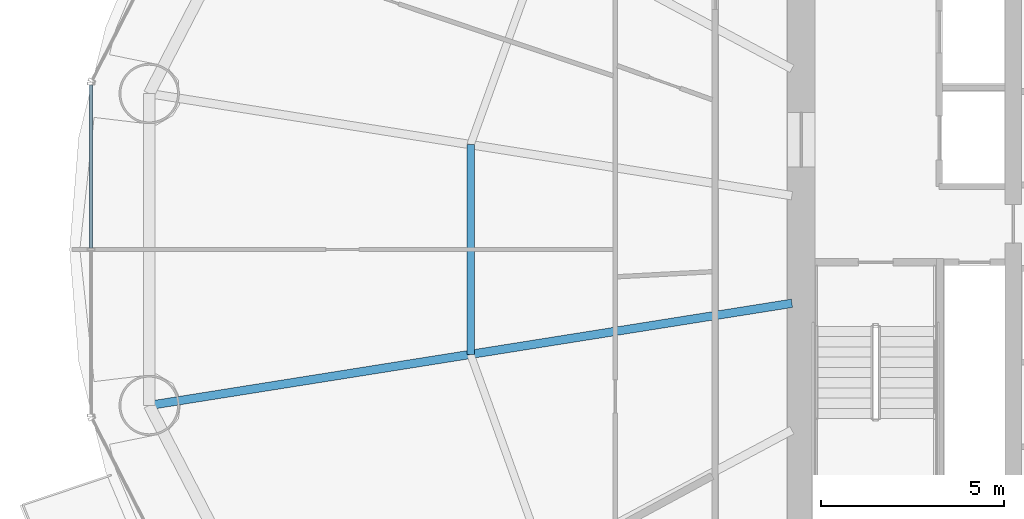
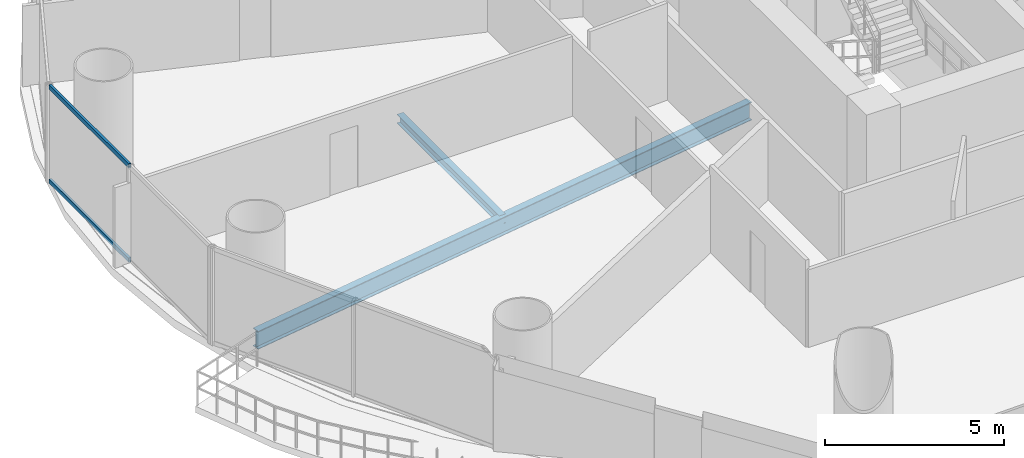
# One storey, part 8 of 30: 2 beams, 2 members, 1 element without a shape of its own.
"""IFC4 building model written with IfcOpenShell, lengths in metres."""

from ifc_helpers import new_model, si_unit, direction, frame, origin, origin_2d, place, context, subcontext, project, spatial, hollow_rectangle, i_section, extrude, source, transform, mapped, material, material_profile, profile_set, type_object, element, aggregate, save


model = new_model("IFC4")

# Units and contexts
model_context = context("Model", 3, precision=1e-05, world=origin(), true_north=direction((-0.2419218956, 0.970295726276)))
body_context = subcontext(model_context, "Body", "Model", "MODEL_VIEW")
ifc_project = project(units=[si_unit("LENGTHUNIT", "METRE"), si_unit("AREAUNIT", "SQUARE_METRE"), si_unit("VOLUMEUNIT", "CUBIC_METRE"), si_unit("PLANEANGLEUNIT", "RADIAN"), si_unit("MASSUNIT", "GRAM", prefix="KILO")], contexts=[model_context])

# Site, building, storey
site_placement = place(None, origin())
site = spatial("IfcSite", under=ifc_project, at=site_placement, CompositionType="ELEMENT")
building_placement = place(site_placement, origin())
building = spatial("IfcBuilding", under=site, at=building_placement, Name="Cobrevalo Terracotta Tower", CompositionType="ELEMENT")
storey_placement = place(building_placement, frame((0.0, 0.0, 63.60009765625)))
storey = spatial("IfcBuildingStorey", under=building, at=storey_placement, Name="L16", CompositionType="ELEMENT", Elevation=63.60009765625)

# Beams
ifc_material_1 = material(Name="Steel S355", Category="steel")
ifc_material_profile_1 = material_profile(ifc_material_1, i_section(OverallWidth=0.22998046875, OverallDepth=0.616943359375, WebThickness=0.01318359375, FlangeThickness=0.022216796875, at=origin_2d()), Name="W 610x140")
ifc_profile_set_1 = profile_set([ifc_material_profile_1], Name="Steel S355")
beam_type_1 = type_object("IfcBeamType", Name="Structural Beam W 610x140 (Steel S355)", PredefinedType="BEAM", material=ifc_profile_set_1)
beam_1_placement = place(storey_placement, frame((11.175537109375, 22.537353515625, -0.588623046875), z_axis=(0.987607924622, 0.156941349628, 0.0), x_axis=(-0.156941349628, 0.987607924622, 0.0)))
element("IfcBeam", 1, at=beam_1_placement, inside=storey, type_object=beam_type_1, Name="L16 radial floor girder 09", PredefinedType="BEAM", context=body_context, shape_type="SweptSolid", body=[
    extrude(i_section(OverallWidth=0.22998046875, OverallDepth=0.616943359375, WebThickness=0.01318359375, FlangeThickness=0.022216796875, at=origin_2d()), origin(), (0.0, 0.0, 1.0), 17.7900390625),
])
ifc_material_profile_2 = material_profile(ifc_material_1, i_section(OverallWidth=0.2041015625, OverallDepth=0.305908203125, WebThickness=0.008544921875, FlangeThickness=0.0146484375, at=origin_2d()), Name="W 310x67")
ifc_profile_set_2 = profile_set([ifc_material_profile_2], Name="Steel S355")
beam_type_2 = type_object("IfcBeamType", Name="Structural Joist W 310x67 (Steel S355)", PredefinedType="JOIST", material=ifc_profile_set_2)
beam_2_placement = place(storey_placement, frame((19.960205078125, 29.666748046875, -0.43310546875), z_axis=(0.0, -1.0, 0.0), x_axis=(1.0, 0.0, 0.0)))
element("IfcBeam", 2, at=beam_2_placement, inside=storey, type_object=beam_type_2, Name="L16 circumferential secondary floor joist 08", PredefinedType="JOIST", context=body_context, shape_type="SweptSolid", body=[
    extrude(i_section(OverallWidth=0.2041015625, OverallDepth=0.305908203125, WebThickness=0.008544921875, FlangeThickness=0.0146484375, at=origin_2d()), origin(), (0.0, 0.0, 1.0), 5.7333984375),
])

# Curtain wall, members
ifc_material_2 = material(Name="Anodized aluminium", Category="aluminium")
curtain_wall_type = type_object("IfcCurtainWallType", Name="Lower-tower unitised acoustic low-E curtain wall CW-U1", PredefinedType="NOTDEFINED", material=ifc_material_2)
curtain_wall_placement = place(storey_placement, origin())
curtain_wall = element("IfcCurtainWall", 3, at=curtain_wall_placement, inside=storey, type_object=curtain_wall_type, Name="L16 curtain wall CW-L16-S08", PredefinedType="NOTDEFINED")
ifc_material_profile_3 = material_profile(ifc_material_2, hollow_rectangle(XDim=0.074951171875, YDim=0.14990234375, WallThickness=0.00439453125, at=origin_2d()), Name="CWT 75x150")
ifc_profile_set_3 = profile_set([ifc_material_profile_3], Name="Anodized aluminium")
member_type = type_object("IfcMemberType", Name="Tower unitised aluminium transom 75x150", PredefinedType="USERDEFINED", material=ifc_profile_set_3)
shared_shape = source(origin(), body_context, "Body", "SweptSolid", [
    extrude(hollow_rectangle(XDim=0.074951171875, YDim=0.14990234375, WallThickness=0.00439453125, at=origin_2d()), origin(), (0.0, 0.0, 1.0), 4.458740234375),
])
member_1_placement = place(storey_placement, frame((9.586669921875, 31.298828125, 0.0498046875), z_axis=(0.0, -1.0, 0.0), x_axis=(1.0, 0.0, 0.0)))
member_1 = element("IfcMember", 4, at=member_1_placement, type_object=member_type, Name="CW-L16-S08 transom B01-T1", ObjectType="TRANSOM", PredefinedType="USERDEFINED", context=body_context, shape_type="MappedRepresentation", body=[
    mapped(shared_shape, transform((0.0, 0.0, 0.0), scale=1.0)),
])
member_2_placement = place(storey_placement, frame((9.586669921875, 31.298828125, 3.27001953125), z_axis=(0.0, -1.0, 0.0), x_axis=(1.0, 0.0, 0.0)))
member_2 = element("IfcMember", 5, at=member_2_placement, type_object=member_type, Name="CW-L16-S08 transom B01-T2", ObjectType="TRANSOM", PredefinedType="USERDEFINED", context=body_context, shape_type="MappedRepresentation", body=[
    mapped(shared_shape, transform((0.0, 0.0, 0.0), scale=1.0)),
])
aggregate(curtain_wall, [member_1, member_2])

save(model, "model.ifc")
